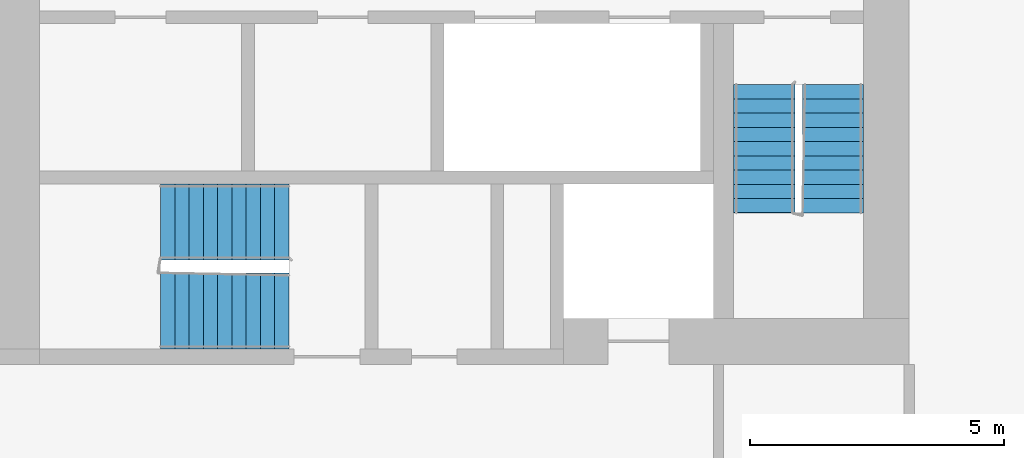
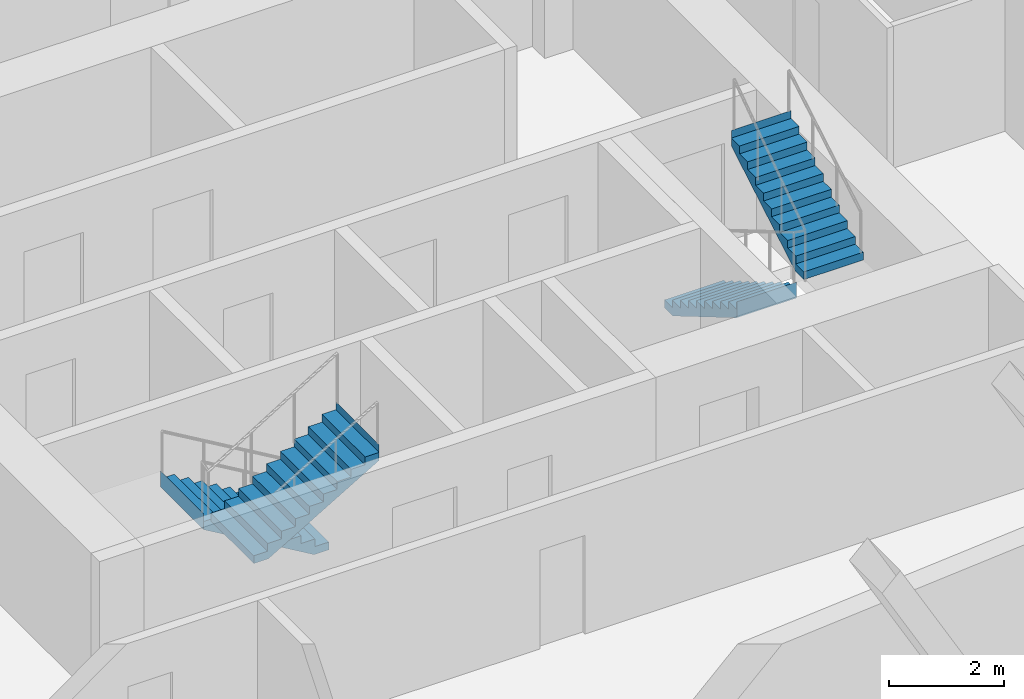
# One storey, part 9 of 13: 4 stair flights, 2 elements without a shape of their own.
"""IFC4 building model written with IfcOpenShell, lengths in metres."""

from ifc_helpers import new_model, si_unit, direction, frame, origin, place, context, subcontext, project, spatial, faceted_brep, material, type_object, element, aggregate, save


model = new_model("IFC4")

# Units and contexts
model_context = context("Model", 3, precision=1e-05, world=origin(), true_north=direction((0.0, 1.0)))
body_context = subcontext(model_context, "Body", "Model", "MODEL_VIEW")
ifc_project = project(units=[si_unit("LENGTHUNIT", "METRE"), si_unit("AREAUNIT", "SQUARE_METRE"), si_unit("VOLUMEUNIT", "CUBIC_METRE"), si_unit("PLANEANGLEUNIT", "RADIAN"), si_unit("MASSUNIT", "GRAM", prefix="KILO")], contexts=[model_context])

# Site, building, storey
site_placement = place(None, origin())
site = spatial("IfcSite", under=ifc_project, at=site_placement, CompositionType="ELEMENT")
building_placement = place(site_placement, origin())
building = spatial("IfcBuilding", under=site, at=building_placement, Name="Kajstack Hotel Tower", CompositionType="ELEMENT")
storey_placement = place(building_placement, frame((0.0, 0.0, 166.89990234375)))
storey = spatial("IfcBuildingStorey", under=building, at=storey_placement, Name="L38", CompositionType="ELEMENT", Elevation=166.89990234375)

# Stair, stair flights
ifc_material = material(Name="Concrete C40/50", Category="concrete")
stair_type_1 = type_object("IfcStairType", Name="Exit stair 1200", PredefinedType="HALF_TURN_STAIR", material=ifc_material)
stair_1_placement = place(storey_placement, origin())
stair_1 = element("IfcStair", 1, at=stair_1_placement, inside=storey, type_object=stair_type_1, Name="L38 stair W2", PredefinedType="HALF_TURN_STAIR")
stair_flight_type_1 = type_object("IfcStairFlightType", Name="Exit stair flight 1200", PredefinedType="STRAIGHT", material=ifc_material)
stair_flight_1_placement = place(storey_placement, frame((-16.35009765625, -10.0, 0.0), z_axis=(0.0, 0.0, 1.0), x_axis=(0.0, -1.0, 0.0)))
stair_flight_1 = element("IfcStairFlight", 2, at=stair_flight_1_placement, type_object=stair_flight_type_1, Name="W2 flight 1", NumberOfRisers=10, NumberOfTreads=9, PredefinedType="STRAIGHT", RiserHeight=0.165, TreadLength=0.28, context=body_context, shape_type="Brep", body=[
    faceted_brep([(0.295654296875, -0.60009765625, 0.0), (2.5205078125, -0.60009765625, 1.31103515625), (2.5205078125, -0.60009765625, 1.64990234375), (2.52001953125, -0.60009765625, 1.64990234375), (2.52001953125, -0.60009765625, 1.485107421875), (2.239990234375, -0.60009765625, 1.485107421875), (2.239990234375, -0.60009765625, 1.320068359375), (1.9599609375, -0.60009765625, 1.320068359375), (1.9599609375, -0.60009765625, 1.155029296875), (1.679931640625, -0.60009765625, 1.155029296875), (1.679931640625, -0.60009765625, 0.989990234375), (1.39990234375, -0.60009765625, 0.989990234375), (1.39990234375, -0.60009765625, 0.824951171875), (1.1201171875, -0.60009765625, 0.824951171875), (1.1201171875, -0.60009765625, 0.659912109375), (0.840087890625, -0.60009765625, 0.659912109375), (0.840087890625, -0.60009765625, 0.4951171875), (0.56005859375, -0.60009765625, 0.4951171875), (0.56005859375, -0.60009765625, 0.330078125), (0.280029296875, -0.60009765625, 0.330078125), (0.280029296875, -0.60009765625, 0.1650390625), (-0.00048828125, -0.60009765625, 0.1650390625), (-0.00048828125, -0.60009765625, 0.0), (-0.00048828125, 0.60009765625, 0.0), (-0.00048828125, 0.60009765625, 0.1650390625), (0.280029296875, 0.60009765625, 0.1650390625), (0.280029296875, 0.60009765625, 0.330078125), (0.56005859375, 0.60009765625, 0.330078125), (0.56005859375, 0.60009765625, 0.4951171875), (0.840087890625, 0.60009765625, 0.4951171875), (0.840087890625, 0.60009765625, 0.659912109375), (1.1201171875, 0.60009765625, 0.659912109375), (1.1201171875, 0.60009765625, 0.824951171875), (1.39990234375, 0.60009765625, 0.824951171875), (1.39990234375, 0.60009765625, 0.989990234375), (1.679931640625, 0.60009765625, 0.989990234375), (1.679931640625, 0.60009765625, 1.155029296875), (1.9599609375, 0.60009765625, 1.155029296875), (1.9599609375, 0.60009765625, 1.320068359375), (2.239990234375, 0.60009765625, 1.320068359375), (2.239990234375, 0.60009765625, 1.485107421875), (2.52001953125, 0.60009765625, 1.485107421875), (2.52001953125, 0.60009765625, 1.64990234375), (2.5205078125, 0.60009765625, 1.64990234375), (2.5205078125, 0.60009765625, 1.31103515625), (0.295654296875, 0.60009765625, 0.0), (-0.00048828125, -0.300048828125, 0.1650390625), (-0.00048828125, 0.0, 0.1650390625), (-0.00048828125, 0.300048828125, 0.1650390625), (-0.00048828125, 0.300048828125, 0.0), (-0.00048828125, 0.0, 0.0), (-0.00048828125, -0.300048828125, 0.0), (0.280029296875, -0.300048828125, 0.1650390625), (0.280029296875, 0.0, 0.1650390625), (0.280029296875, 0.300048828125, 0.1650390625), (0.280029296875, -0.300048828125, 0.330078125), (0.280029296875, 0.0, 0.330078125), (0.280029296875, 0.300048828125, 0.330078125), (0.56005859375, -0.300048828125, 0.330078125), (0.56005859375, 0.0, 0.330078125), (0.56005859375, 0.300048828125, 0.330078125), (0.56005859375, -0.300048828125, 0.4951171875), (0.56005859375, 0.0, 0.4951171875), (0.56005859375, 0.300048828125, 0.4951171875), (0.840087890625, -0.300048828125, 0.4951171875), (0.840087890625, 0.0, 0.4951171875), (0.840087890625, 0.300048828125, 0.4951171875), (0.840087890625, -0.300048828125, 0.659912109375), (0.840087890625, 0.0, 0.659912109375), (0.840087890625, 0.300048828125, 0.659912109375), (1.1201171875, -0.300048828125, 0.659912109375), (1.1201171875, 0.0, 0.659912109375), (1.1201171875, 0.300048828125, 0.659912109375), (1.1201171875, -0.300048828125, 0.824951171875), (1.1201171875, 0.0, 0.824951171875), (1.1201171875, 0.300048828125, 0.824951171875), (1.39990234375, -0.300048828125, 0.824951171875), (1.39990234375, 0.0, 0.824951171875), (1.39990234375, 0.300048828125, 0.824951171875), (1.39990234375, -0.300048828125, 0.989990234375), (1.39990234375, 0.0, 0.989990234375), (1.39990234375, 0.300048828125, 0.989990234375), (1.679931640625, -0.300048828125, 0.989990234375), (1.679931640625, 0.0, 0.989990234375), (1.679931640625, 0.300048828125, 0.989990234375), (1.679931640625, -0.300048828125, 1.155029296875), (1.679931640625, 0.0, 1.155029296875), (1.679931640625, 0.300048828125, 1.155029296875), (1.9599609375, -0.300048828125, 1.155029296875), (1.9599609375, 0.0, 1.155029296875), (1.9599609375, 0.300048828125, 1.155029296875), (1.9599609375, -0.300048828125, 1.320068359375), (1.9599609375, 0.0, 1.320068359375), (1.9599609375, 0.300048828125, 1.320068359375), (2.239990234375, -0.300048828125, 1.320068359375), (2.239990234375, 0.0, 1.320068359375), (2.239990234375, 0.300048828125, 1.320068359375), (2.239990234375, -0.300048828125, 1.485107421875), (2.239990234375, 0.0, 1.485107421875), (2.239990234375, 0.300048828125, 1.485107421875), (2.52001953125, -0.300048828125, 1.485107421875), (2.52001953125, 0.0, 1.485107421875), (2.52001953125, 0.300048828125, 1.485107421875), (2.52001953125, -0.300048828125, 1.64990234375), (2.52001953125, 0.0, 1.64990234375), (2.52001953125, 0.300048828125, 1.64990234375), (2.5205078125, -0.300048828125, 1.64990234375), (2.5205078125, 0.0, 1.64990234375), (2.5205078125, 0.300048828125, 1.64990234375), (2.5205078125, -0.300048828125, 1.31103515625), (2.5205078125, 0.0, 1.31103515625), (2.5205078125, 0.300048828125, 1.31103515625), (0.295654296875, -0.300048828125, 0.0), (0.295654296875, 0.0, 0.0), (0.295654296875, 0.300048828125, 0.0)], [[[0, 1, 2, 3, 4, 5, 6, 7, 8, 9, 10, 11, 12, 13, 14, 15, 16, 17, 18, 19, 20, 21, 22]], [[23, 24, 25, 26, 27, 28, 29, 30, 31, 32, 33, 34, 35, 36, 37, 38, 39, 40, 41, 42, 43, 44, 45]], [[21, 46, 47, 48, 24, 23, 49, 50, 51, 22]], [[20, 52, 53, 54, 25, 24, 48, 47, 46, 21]], [[19, 55, 56, 57, 26, 25, 54, 53, 52, 20]], [[18, 58, 59, 60, 27, 26, 57, 56, 55, 19]], [[17, 61, 62, 63, 28, 27, 60, 59, 58, 18]], [[16, 64, 65, 66, 29, 28, 63, 62, 61, 17]], [[15, 67, 68, 69, 30, 29, 66, 65, 64, 16]], [[14, 70, 71, 72, 31, 30, 69, 68, 67, 15]], [[13, 73, 74, 75, 32, 31, 72, 71, 70, 14]], [[12, 76, 77, 78, 33, 32, 75, 74, 73, 13]], [[11, 79, 80, 81, 34, 33, 78, 77, 76, 12]], [[10, 82, 83, 84, 35, 34, 81, 80, 79, 11]], [[9, 85, 86, 87, 36, 35, 84, 83, 82, 10]], [[8, 88, 89, 90, 37, 36, 87, 86, 85, 9]], [[7, 91, 92, 93, 38, 37, 90, 89, 88, 8]], [[6, 94, 95, 96, 39, 38, 93, 92, 91, 7]], [[5, 97, 98, 99, 40, 39, 96, 95, 94, 6]], [[4, 100, 101, 102, 41, 40, 99, 98, 97, 5]], [[3, 103, 104, 105, 42, 41, 102, 101, 100, 4]], [[2, 106, 107, 108, 43, 42, 105, 104, 103, 3]], [[1, 109, 110, 111, 44, 43, 108, 107, 106, 2]], [[0, 112, 113, 114, 45, 44, 111, 110, 109, 1]], [[22, 51, 50, 49, 23, 45, 114, 113, 112, 0]]]),
])
stair_flight_2_placement = place(storey_placement, frame((-15.0, -12.52001953125, 1.650146484375), z_axis=(0.0, 0.0, 1.0), x_axis=(0.0, 1.0, 0.0)))
stair_flight_2 = element("IfcStairFlight", 3, at=stair_flight_2_placement, type_object=stair_flight_type_1, Name="W2 flight 2", NumberOfRisers=10, NumberOfTreads=9, PredefinedType="STRAIGHT", RiserHeight=0.165, TreadLength=0.28, context=body_context, shape_type="Brep", body=[
    faceted_brep([(0.295654296875, -0.60009765625, 0.0), (2.5205078125, -0.60009765625, 1.31103515625), (2.5205078125, -0.60009765625, 1.64990234375), (2.52001953125, -0.60009765625, 1.64990234375), (2.52001953125, -0.60009765625, 1.485107421875), (2.239990234375, -0.60009765625, 1.485107421875), (2.239990234375, -0.60009765625, 1.320068359375), (1.9599609375, -0.60009765625, 1.320068359375), (1.9599609375, -0.60009765625, 1.155029296875), (1.679931640625, -0.60009765625, 1.155029296875), (1.679931640625, -0.60009765625, 0.989990234375), (1.39990234375, -0.60009765625, 0.989990234375), (1.39990234375, -0.60009765625, 0.824951171875), (1.1201171875, -0.60009765625, 0.824951171875), (1.1201171875, -0.60009765625, 0.659912109375), (0.840087890625, -0.60009765625, 0.659912109375), (0.840087890625, -0.60009765625, 0.4951171875), (0.56005859375, -0.60009765625, 0.4951171875), (0.56005859375, -0.60009765625, 0.330078125), (0.280029296875, -0.60009765625, 0.330078125), (0.280029296875, -0.60009765625, 0.1650390625), (-0.00048828125, -0.60009765625, 0.1650390625), (-0.00048828125, -0.60009765625, 0.0), (-0.00048828125, 0.60009765625, 0.0), (-0.00048828125, 0.60009765625, 0.1650390625), (0.280029296875, 0.60009765625, 0.1650390625), (0.280029296875, 0.60009765625, 0.330078125), (0.56005859375, 0.60009765625, 0.330078125), (0.56005859375, 0.60009765625, 0.4951171875), (0.840087890625, 0.60009765625, 0.4951171875), (0.840087890625, 0.60009765625, 0.659912109375), (1.1201171875, 0.60009765625, 0.659912109375), (1.1201171875, 0.60009765625, 0.824951171875), (1.39990234375, 0.60009765625, 0.824951171875), (1.39990234375, 0.60009765625, 0.989990234375), (1.679931640625, 0.60009765625, 0.989990234375), (1.679931640625, 0.60009765625, 1.155029296875), (1.9599609375, 0.60009765625, 1.155029296875), (1.9599609375, 0.60009765625, 1.320068359375), (2.239990234375, 0.60009765625, 1.320068359375), (2.239990234375, 0.60009765625, 1.485107421875), (2.52001953125, 0.60009765625, 1.485107421875), (2.52001953125, 0.60009765625, 1.64990234375), (2.5205078125, 0.60009765625, 1.64990234375), (2.5205078125, 0.60009765625, 1.31103515625), (0.295654296875, 0.60009765625, 0.0), (-0.00048828125, -0.300048828125, 0.1650390625), (-0.00048828125, 0.0, 0.1650390625), (-0.00048828125, 0.300048828125, 0.1650390625), (-0.00048828125, 0.300048828125, 0.0), (-0.00048828125, 0.0, 0.0), (-0.00048828125, -0.300048828125, 0.0), (0.280029296875, -0.300048828125, 0.1650390625), (0.280029296875, 0.0, 0.1650390625), (0.280029296875, 0.300048828125, 0.1650390625), (0.280029296875, -0.300048828125, 0.330078125), (0.280029296875, 0.0, 0.330078125), (0.280029296875, 0.300048828125, 0.330078125), (0.56005859375, -0.300048828125, 0.330078125), (0.56005859375, 0.0, 0.330078125), (0.56005859375, 0.300048828125, 0.330078125), (0.56005859375, -0.300048828125, 0.4951171875), (0.56005859375, 0.0, 0.4951171875), (0.56005859375, 0.300048828125, 0.4951171875), (0.840087890625, -0.300048828125, 0.4951171875), (0.840087890625, 0.0, 0.4951171875), (0.840087890625, 0.300048828125, 0.4951171875), (0.840087890625, -0.300048828125, 0.659912109375), (0.840087890625, 0.0, 0.659912109375), (0.840087890625, 0.300048828125, 0.659912109375), (1.1201171875, -0.300048828125, 0.659912109375), (1.1201171875, 0.0, 0.659912109375), (1.1201171875, 0.300048828125, 0.659912109375), (1.1201171875, -0.300048828125, 0.824951171875), (1.1201171875, 0.0, 0.824951171875), (1.1201171875, 0.300048828125, 0.824951171875), (1.39990234375, -0.300048828125, 0.824951171875), (1.39990234375, 0.0, 0.824951171875), (1.39990234375, 0.300048828125, 0.824951171875), (1.39990234375, -0.300048828125, 0.989990234375), (1.39990234375, 0.0, 0.989990234375), (1.39990234375, 0.300048828125, 0.989990234375), (1.679931640625, -0.300048828125, 0.989990234375), (1.679931640625, 0.0, 0.989990234375), (1.679931640625, 0.300048828125, 0.989990234375), (1.679931640625, -0.300048828125, 1.155029296875), (1.679931640625, 0.0, 1.155029296875), (1.679931640625, 0.300048828125, 1.155029296875), (1.9599609375, -0.300048828125, 1.155029296875), (1.9599609375, 0.0, 1.155029296875), (1.9599609375, 0.300048828125, 1.155029296875), (1.9599609375, -0.300048828125, 1.320068359375), (1.9599609375, 0.0, 1.320068359375), (1.9599609375, 0.300048828125, 1.320068359375), (2.239990234375, -0.300048828125, 1.320068359375), (2.239990234375, 0.0, 1.320068359375), (2.239990234375, 0.300048828125, 1.320068359375), (2.239990234375, -0.300048828125, 1.485107421875), (2.239990234375, 0.0, 1.485107421875), (2.239990234375, 0.300048828125, 1.485107421875), (2.52001953125, -0.300048828125, 1.485107421875), (2.52001953125, 0.0, 1.485107421875), (2.52001953125, 0.300048828125, 1.485107421875), (2.52001953125, -0.300048828125, 1.64990234375), (2.52001953125, 0.0, 1.64990234375), (2.52001953125, 0.300048828125, 1.64990234375), (2.5205078125, -0.300048828125, 1.64990234375), (2.5205078125, 0.0, 1.64990234375), (2.5205078125, 0.300048828125, 1.64990234375), (2.5205078125, -0.300048828125, 1.31103515625), (2.5205078125, 0.0, 1.31103515625), (2.5205078125, 0.300048828125, 1.31103515625), (0.295654296875, -0.300048828125, 0.0), (0.295654296875, 0.0, 0.0), (0.295654296875, 0.300048828125, 0.0)], [[[0, 1, 2, 3, 4, 5, 6, 7, 8, 9, 10, 11, 12, 13, 14, 15, 16, 17, 18, 19, 20, 21, 22]], [[23, 24, 25, 26, 27, 28, 29, 30, 31, 32, 33, 34, 35, 36, 37, 38, 39, 40, 41, 42, 43, 44, 45]], [[21, 46, 47, 48, 24, 23, 49, 50, 51, 22]], [[20, 52, 53, 54, 25, 24, 48, 47, 46, 21]], [[19, 55, 56, 57, 26, 25, 54, 53, 52, 20]], [[18, 58, 59, 60, 27, 26, 57, 56, 55, 19]], [[17, 61, 62, 63, 28, 27, 60, 59, 58, 18]], [[16, 64, 65, 66, 29, 28, 63, 62, 61, 17]], [[15, 67, 68, 69, 30, 29, 66, 65, 64, 16]], [[14, 70, 71, 72, 31, 30, 69, 68, 67, 15]], [[13, 73, 74, 75, 32, 31, 72, 71, 70, 14]], [[12, 76, 77, 78, 33, 32, 75, 74, 73, 13]], [[11, 79, 80, 81, 34, 33, 78, 77, 76, 12]], [[10, 82, 83, 84, 35, 34, 81, 80, 79, 11]], [[9, 85, 86, 87, 36, 35, 84, 83, 82, 10]], [[8, 88, 89, 90, 37, 36, 87, 86, 85, 9]], [[7, 91, 92, 93, 38, 37, 90, 89, 88, 8]], [[6, 94, 95, 96, 39, 38, 93, 92, 91, 7]], [[5, 97, 98, 99, 40, 39, 96, 95, 94, 6]], [[4, 100, 101, 102, 41, 40, 99, 98, 97, 5]], [[3, 103, 104, 105, 42, 41, 102, 101, 100, 4]], [[2, 106, 107, 108, 43, 42, 105, 104, 103, 3]], [[1, 109, 110, 111, 44, 43, 108, 107, 106, 2]], [[0, 112, 113, 114, 45, 44, 111, 110, 109, 1]], [[22, 51, 50, 49, 23, 45, 114, 113, 112, 0]]]),
])
aggregate(stair_1, [stair_flight_1, stair_flight_2])

stair_type_2 = type_object("IfcStairType", Name="Exit stair 1500", PredefinedType="HALF_TURN_STAIR", material=ifc_material)
stair_2_placement = place(storey_placement, origin())
stair_2 = element("IfcStair", 4, at=stair_2_placement, inside=storey, type_object=stair_type_2, Name="L38 stair W3", PredefinedType="HALF_TURN_STAIR")
stair_flight_type_2 = type_object("IfcStairFlightType", Name="Exit stair flight 1500", PredefinedType="STRAIGHT", material=ifc_material)
stair_flight_3_placement = place(storey_placement, frame((-25.699951171875, -12.699951171875, 0.0), z_axis=(0.0, 0.0, 1.0), x_axis=(-1.0, 0.0, 0.0)))
stair_flight_3 = element("IfcStairFlight", 5, at=stair_flight_3_placement, type_object=stair_flight_type_2, Name="W3 flight 1", NumberOfRisers=10, NumberOfTreads=9, PredefinedType="STRAIGHT", RiserHeight=0.165, TreadLength=0.28, context=body_context, shape_type="Brep", body=[
    faceted_brep([(0.295654296875, -0.75, 0.0), (2.5205078125, -0.75, 1.31103515625), (2.5205078125, -0.75, 1.64990234375), (2.52001953125, -0.75, 1.64990234375), (2.52001953125, -0.75, 1.485107421875), (2.239990234375, -0.75, 1.485107421875), (2.239990234375, -0.75, 1.320068359375), (1.9599609375, -0.75, 1.320068359375), (1.9599609375, -0.75, 1.155029296875), (1.679931640625, -0.75, 1.155029296875), (1.679931640625, -0.75, 0.989990234375), (1.39990234375, -0.75, 0.989990234375), (1.39990234375, -0.75, 0.824951171875), (1.1201171875, -0.75, 0.824951171875), (1.1201171875, -0.75, 0.659912109375), (0.840087890625, -0.75, 0.659912109375), (0.840087890625, -0.75, 0.4951171875), (0.56005859375, -0.75, 0.4951171875), (0.56005859375, -0.75, 0.330078125), (0.280029296875, -0.75, 0.330078125), (0.280029296875, -0.75, 0.1650390625), (-0.00048828125, -0.75, 0.1650390625), (-0.00048828125, -0.75, 0.0), (-0.00048828125, 0.75, 0.0), (-0.00048828125, 0.75, 0.1650390625), (0.280029296875, 0.75, 0.1650390625), (0.280029296875, 0.75, 0.330078125), (0.56005859375, 0.75, 0.330078125), (0.56005859375, 0.75, 0.4951171875), (0.840087890625, 0.75, 0.4951171875), (0.840087890625, 0.75, 0.659912109375), (1.1201171875, 0.75, 0.659912109375), (1.1201171875, 0.75, 0.824951171875), (1.39990234375, 0.75, 0.824951171875), (1.39990234375, 0.75, 0.989990234375), (1.679931640625, 0.75, 0.989990234375), (1.679931640625, 0.75, 1.155029296875), (1.9599609375, 0.75, 1.155029296875), (1.9599609375, 0.75, 1.320068359375), (2.239990234375, 0.75, 1.320068359375), (2.239990234375, 0.75, 1.485107421875), (2.52001953125, 0.75, 1.485107421875), (2.52001953125, 0.75, 1.64990234375), (2.5205078125, 0.75, 1.64990234375), (2.5205078125, 0.75, 1.31103515625), (0.295654296875, 0.75, 0.0), (-0.00048828125, -0.375, 0.1650390625), (-0.00048828125, 0.0, 0.1650390625), (-0.00048828125, 0.375, 0.1650390625), (-0.00048828125, 0.375, 0.0), (-0.00048828125, 0.0, 0.0), (-0.00048828125, -0.375, 0.0), (0.280029296875, -0.375, 0.1650390625), (0.280029296875, 0.0, 0.1650390625), (0.280029296875, 0.375, 0.1650390625), (0.280029296875, -0.375, 0.330078125), (0.280029296875, 0.0, 0.330078125), (0.280029296875, 0.375, 0.330078125), (0.56005859375, -0.375, 0.330078125), (0.56005859375, 0.0, 0.330078125), (0.56005859375, 0.375, 0.330078125), (0.56005859375, -0.375, 0.4951171875), (0.56005859375, 0.0, 0.4951171875), (0.56005859375, 0.375, 0.4951171875), (0.840087890625, -0.375, 0.4951171875), (0.840087890625, 0.0, 0.4951171875), (0.840087890625, 0.375, 0.4951171875), (0.840087890625, -0.375, 0.659912109375), (0.840087890625, 0.0, 0.659912109375), (0.840087890625, 0.375, 0.659912109375), (1.1201171875, -0.375, 0.659912109375), (1.1201171875, 0.0, 0.659912109375), (1.1201171875, 0.375, 0.659912109375), (1.1201171875, -0.375, 0.824951171875), (1.1201171875, 0.0, 0.824951171875), (1.1201171875, 0.375, 0.824951171875), (1.39990234375, -0.375, 0.824951171875), (1.39990234375, 0.0, 0.824951171875), (1.39990234375, 0.375, 0.824951171875), (1.39990234375, -0.375, 0.989990234375), (1.39990234375, 0.0, 0.989990234375), (1.39990234375, 0.375, 0.989990234375), (1.679931640625, -0.375, 0.989990234375), (1.679931640625, 0.0, 0.989990234375), (1.679931640625, 0.375, 0.989990234375), (1.679931640625, -0.375, 1.155029296875), (1.679931640625, 0.0, 1.155029296875), (1.679931640625, 0.375, 1.155029296875), (1.9599609375, -0.375, 1.155029296875), (1.9599609375, 0.0, 1.155029296875), (1.9599609375, 0.375, 1.155029296875), (1.9599609375, -0.375, 1.320068359375), (1.9599609375, 0.0, 1.320068359375), (1.9599609375, 0.375, 1.320068359375), (2.239990234375, -0.375, 1.320068359375), (2.239990234375, 0.0, 1.320068359375), (2.239990234375, 0.375, 1.320068359375), (2.239990234375, -0.375, 1.485107421875), (2.239990234375, 0.0, 1.485107421875), (2.239990234375, 0.375, 1.485107421875), (2.52001953125, -0.375, 1.485107421875), (2.52001953125, 0.0, 1.485107421875), (2.52001953125, 0.375, 1.485107421875), (2.52001953125, -0.375, 1.64990234375), (2.52001953125, 0.0, 1.64990234375), (2.52001953125, 0.375, 1.64990234375), (2.5205078125, -0.375, 1.64990234375), (2.5205078125, 0.0, 1.64990234375), (2.5205078125, 0.375, 1.64990234375), (2.5205078125, -0.375, 1.31103515625), (2.5205078125, 0.0, 1.31103515625), (2.5205078125, 0.375, 1.31103515625), (0.295654296875, -0.375, 0.0), (0.295654296875, 0.0, 0.0), (0.295654296875, 0.375, 0.0)], [[[0, 1, 2, 3, 4, 5, 6, 7, 8, 9, 10, 11, 12, 13, 14, 15, 16, 17, 18, 19, 20, 21, 22]], [[23, 24, 25, 26, 27, 28, 29, 30, 31, 32, 33, 34, 35, 36, 37, 38, 39, 40, 41, 42, 43, 44, 45]], [[21, 46, 47, 48, 24, 23, 49, 50, 51, 22]], [[20, 52, 53, 54, 25, 24, 48, 47, 46, 21]], [[19, 55, 56, 57, 26, 25, 54, 53, 52, 20]], [[18, 58, 59, 60, 27, 26, 57, 56, 55, 19]], [[17, 61, 62, 63, 28, 27, 60, 59, 58, 18]], [[16, 64, 65, 66, 29, 28, 63, 62, 61, 17]], [[15, 67, 68, 69, 30, 29, 66, 65, 64, 16]], [[14, 70, 71, 72, 31, 30, 69, 68, 67, 15]], [[13, 73, 74, 75, 32, 31, 72, 71, 70, 14]], [[12, 76, 77, 78, 33, 32, 75, 74, 73, 13]], [[11, 79, 80, 81, 34, 33, 78, 77, 76, 12]], [[10, 82, 83, 84, 35, 34, 81, 80, 79, 11]], [[9, 85, 86, 87, 36, 35, 84, 83, 82, 10]], [[8, 88, 89, 90, 37, 36, 87, 86, 85, 9]], [[7, 91, 92, 93, 38, 37, 90, 89, 88, 8]], [[6, 94, 95, 96, 39, 38, 93, 92, 91, 7]], [[5, 97, 98, 99, 40, 39, 96, 95, 94, 6]], [[4, 100, 101, 102, 41, 40, 99, 98, 97, 5]], [[3, 103, 104, 105, 42, 41, 102, 101, 100, 4]], [[2, 106, 107, 108, 43, 42, 105, 104, 103, 3]], [[1, 109, 110, 111, 44, 43, 108, 107, 106, 2]], [[0, 112, 113, 114, 45, 44, 111, 110, 109, 1]], [[22, 51, 50, 49, 23, 45, 114, 113, 112, 0]]]),
])
stair_flight_4_placement = place(storey_placement, frame((-28.219970703125, -14.449951171875, 1.650146484375), z_axis=(0.0, 0.0, 1.0), x_axis=(1.0, 0.0, 0.0)))
stair_flight_4 = element("IfcStairFlight", 6, at=stair_flight_4_placement, type_object=stair_flight_type_2, Name="W3 flight 2", NumberOfRisers=10, NumberOfTreads=9, PredefinedType="STRAIGHT", RiserHeight=0.165, TreadLength=0.28, context=body_context, shape_type="Brep", body=[
    faceted_brep([(0.295654296875, -0.75, 0.0), (2.5205078125, -0.75, 1.31103515625), (2.5205078125, -0.75, 1.64990234375), (2.52001953125, -0.75, 1.64990234375), (2.52001953125, -0.75, 1.485107421875), (2.239990234375, -0.75, 1.485107421875), (2.239990234375, -0.75, 1.320068359375), (1.9599609375, -0.75, 1.320068359375), (1.9599609375, -0.75, 1.155029296875), (1.679931640625, -0.75, 1.155029296875), (1.679931640625, -0.75, 0.989990234375), (1.39990234375, -0.75, 0.989990234375), (1.39990234375, -0.75, 0.824951171875), (1.1201171875, -0.75, 0.824951171875), (1.1201171875, -0.75, 0.659912109375), (0.840087890625, -0.75, 0.659912109375), (0.840087890625, -0.75, 0.4951171875), (0.56005859375, -0.75, 0.4951171875), (0.56005859375, -0.75, 0.330078125), (0.280029296875, -0.75, 0.330078125), (0.280029296875, -0.75, 0.1650390625), (-0.00048828125, -0.75, 0.1650390625), (-0.00048828125, -0.75, 0.0), (-0.00048828125, 0.75, 0.0), (-0.00048828125, 0.75, 0.1650390625), (0.280029296875, 0.75, 0.1650390625), (0.280029296875, 0.75, 0.330078125), (0.56005859375, 0.75, 0.330078125), (0.56005859375, 0.75, 0.4951171875), (0.840087890625, 0.75, 0.4951171875), (0.840087890625, 0.75, 0.659912109375), (1.1201171875, 0.75, 0.659912109375), (1.1201171875, 0.75, 0.824951171875), (1.39990234375, 0.75, 0.824951171875), (1.39990234375, 0.75, 0.989990234375), (1.679931640625, 0.75, 0.989990234375), (1.679931640625, 0.75, 1.155029296875), (1.9599609375, 0.75, 1.155029296875), (1.9599609375, 0.75, 1.320068359375), (2.239990234375, 0.75, 1.320068359375), (2.239990234375, 0.75, 1.485107421875), (2.52001953125, 0.75, 1.485107421875), (2.52001953125, 0.75, 1.64990234375), (2.5205078125, 0.75, 1.64990234375), (2.5205078125, 0.75, 1.31103515625), (0.295654296875, 0.75, 0.0), (-0.00048828125, -0.375, 0.1650390625), (-0.00048828125, 0.0, 0.1650390625), (-0.00048828125, 0.375, 0.1650390625), (-0.00048828125, 0.375, 0.0), (-0.00048828125, 0.0, 0.0), (-0.00048828125, -0.375, 0.0), (0.280029296875, -0.375, 0.1650390625), (0.280029296875, 0.0, 0.1650390625), (0.280029296875, 0.375, 0.1650390625), (0.280029296875, -0.375, 0.330078125), (0.280029296875, 0.0, 0.330078125), (0.280029296875, 0.375, 0.330078125), (0.56005859375, -0.375, 0.330078125), (0.56005859375, 0.0, 0.330078125), (0.56005859375, 0.375, 0.330078125), (0.56005859375, -0.375, 0.4951171875), (0.56005859375, 0.0, 0.4951171875), (0.56005859375, 0.375, 0.4951171875), (0.840087890625, -0.375, 0.4951171875), (0.840087890625, 0.0, 0.4951171875), (0.840087890625, 0.375, 0.4951171875), (0.840087890625, -0.375, 0.659912109375), (0.840087890625, 0.0, 0.659912109375), (0.840087890625, 0.375, 0.659912109375), (1.1201171875, -0.375, 0.659912109375), (1.1201171875, 0.0, 0.659912109375), (1.1201171875, 0.375, 0.659912109375), (1.1201171875, -0.375, 0.824951171875), (1.1201171875, 0.0, 0.824951171875), (1.1201171875, 0.375, 0.824951171875), (1.39990234375, -0.375, 0.824951171875), (1.39990234375, 0.0, 0.824951171875), (1.39990234375, 0.375, 0.824951171875), (1.39990234375, -0.375, 0.989990234375), (1.39990234375, 0.0, 0.989990234375), (1.39990234375, 0.375, 0.989990234375), (1.679931640625, -0.375, 0.989990234375), (1.679931640625, 0.0, 0.989990234375), (1.679931640625, 0.375, 0.989990234375), (1.679931640625, -0.375, 1.155029296875), (1.679931640625, 0.0, 1.155029296875), (1.679931640625, 0.375, 1.155029296875), (1.9599609375, -0.375, 1.155029296875), (1.9599609375, 0.0, 1.155029296875), (1.9599609375, 0.375, 1.155029296875), (1.9599609375, -0.375, 1.320068359375), (1.9599609375, 0.0, 1.320068359375), (1.9599609375, 0.375, 1.320068359375), (2.239990234375, -0.375, 1.320068359375), (2.239990234375, 0.0, 1.320068359375), (2.239990234375, 0.375, 1.320068359375), (2.239990234375, -0.375, 1.485107421875), (2.239990234375, 0.0, 1.485107421875), (2.239990234375, 0.375, 1.485107421875), (2.52001953125, -0.375, 1.485107421875), (2.52001953125, 0.0, 1.485107421875), (2.52001953125, 0.375, 1.485107421875), (2.52001953125, -0.375, 1.64990234375), (2.52001953125, 0.0, 1.64990234375), (2.52001953125, 0.375, 1.64990234375), (2.5205078125, -0.375, 1.64990234375), (2.5205078125, 0.0, 1.64990234375), (2.5205078125, 0.375, 1.64990234375), (2.5205078125, -0.375, 1.31103515625), (2.5205078125, 0.0, 1.31103515625), (2.5205078125, 0.375, 1.31103515625), (0.295654296875, -0.375, 0.0), (0.295654296875, 0.0, 0.0), (0.295654296875, 0.375, 0.0)], [[[0, 1, 2, 3, 4, 5, 6, 7, 8, 9, 10, 11, 12, 13, 14, 15, 16, 17, 18, 19, 20, 21, 22]], [[23, 24, 25, 26, 27, 28, 29, 30, 31, 32, 33, 34, 35, 36, 37, 38, 39, 40, 41, 42, 43, 44, 45]], [[21, 46, 47, 48, 24, 23, 49, 50, 51, 22]], [[20, 52, 53, 54, 25, 24, 48, 47, 46, 21]], [[19, 55, 56, 57, 26, 25, 54, 53, 52, 20]], [[18, 58, 59, 60, 27, 26, 57, 56, 55, 19]], [[17, 61, 62, 63, 28, 27, 60, 59, 58, 18]], [[16, 64, 65, 66, 29, 28, 63, 62, 61, 17]], [[15, 67, 68, 69, 30, 29, 66, 65, 64, 16]], [[14, 70, 71, 72, 31, 30, 69, 68, 67, 15]], [[13, 73, 74, 75, 32, 31, 72, 71, 70, 14]], [[12, 76, 77, 78, 33, 32, 75, 74, 73, 13]], [[11, 79, 80, 81, 34, 33, 78, 77, 76, 12]], [[10, 82, 83, 84, 35, 34, 81, 80, 79, 11]], [[9, 85, 86, 87, 36, 35, 84, 83, 82, 10]], [[8, 88, 89, 90, 37, 36, 87, 86, 85, 9]], [[7, 91, 92, 93, 38, 37, 90, 89, 88, 8]], [[6, 94, 95, 96, 39, 38, 93, 92, 91, 7]], [[5, 97, 98, 99, 40, 39, 96, 95, 94, 6]], [[4, 100, 101, 102, 41, 40, 99, 98, 97, 5]], [[3, 103, 104, 105, 42, 41, 102, 101, 100, 4]], [[2, 106, 107, 108, 43, 42, 105, 104, 103, 3]], [[1, 109, 110, 111, 44, 43, 108, 107, 106, 2]], [[0, 112, 113, 114, 45, 44, 111, 110, 109, 1]], [[22, 51, 50, 49, 23, 45, 114, 113, 112, 0]]]),
])
aggregate(stair_2, [stair_flight_3, stair_flight_4])

save(model, "model.ifc")
